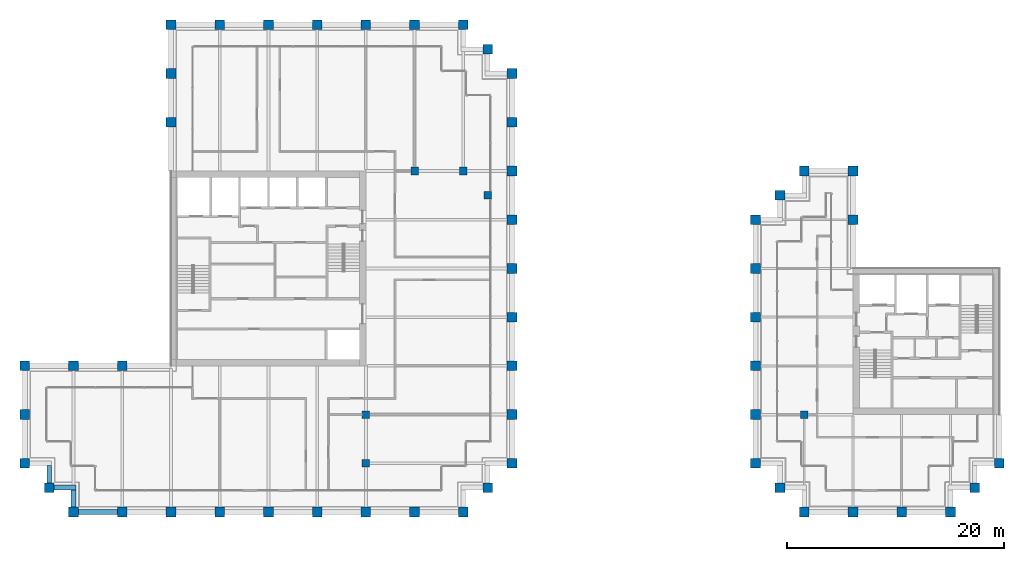
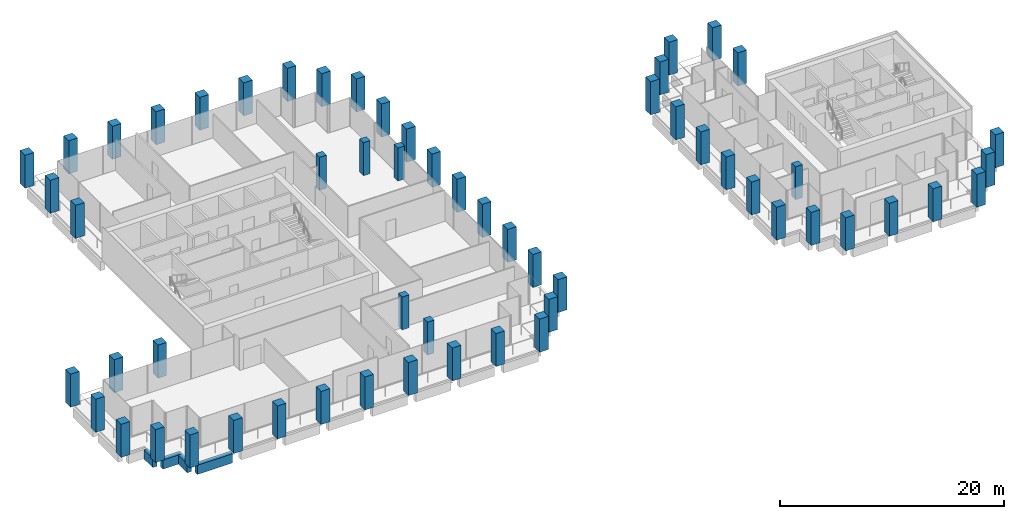
# One storey, part 1 of 40: 58 columns, 4 beams.
"""IFC4 building model written with IfcOpenShell, lengths in metres."""

from ifc_helpers import new_model, si_unit, direction, frame, origin, origin_2d, place, context, subcontext, project, spatial, rectangle, extrude, material, material_profile, profile_set, type_object, element, save


model = new_model("IFC4")

# Units and contexts
model_context = context("Model", 3, precision=1e-05, world=origin(), true_north=direction((0.0, 1.0)))
body_context = subcontext(model_context, "Body", "Model", "MODEL_VIEW")
ifc_project = project(units=[si_unit("LENGTHUNIT", "METRE"), si_unit("AREAUNIT", "SQUARE_METRE"), si_unit("VOLUMEUNIT", "CUBIC_METRE"), si_unit("PLANEANGLEUNIT", "RADIAN"), si_unit("MASSUNIT", "GRAM", prefix="KILO")], contexts=[model_context])

# Site, building, storey
site_placement = place(None, origin())
site = spatial("IfcSite", under=ifc_project, at=site_placement, CompositionType="ELEMENT")
building_placement = place(site_placement, origin())
building = spatial("IfcBuilding", under=site, at=building_placement, Name="Altepetl Exchange Towers", CompositionType="ELEMENT")
storey_placement = place(building_placement, frame((0.0, 0.0, 187.0)))
storey = spatial("IfcBuildingStorey", under=building, at=storey_placement, Name="L47", CompositionType="ELEMENT", Elevation=187.0)

# Columns
ifc_material_1 = material(Name="Concrete C70/85", Category="concrete")
ifc_material_profile_1 = material_profile(ifc_material_1, rectangle(XDim=0.699951171875, YDim=0.699951171875, at=origin_2d()), Name="700 x 700")
ifc_profile_set_1 = profile_set([ifc_material_profile_1], Name="Concrete C70/85")
column_type_1 = type_object("IfcColumnType", Name="Interior column 700", PredefinedType="COLUMN", material=ifc_profile_set_1)
for number, where, name in (
    (1, (58.5, 31.5, 0.0), "col:A:L47:035"),
    (2, (58.5, 36.0, 0.0), "col:A:L47:036"),
    (3, (63.0, 58.5, 0.0), "col:A:L47:037"),
    (4, (67.5, 58.5, 0.0), "col:A:L47:038"),
    (5, (69.75, 56.25, 0.0), "col:A:L47:039"),
    (6, (99.0, 36.0, 0.0), "col:B:L47:017"),
):
    element("IfcColumn", number, at=place(storey_placement, frame(where)), inside=storey, type_object=column_type_1, Name=name, PredefinedType="COLUMN", context=body_context, shape_type="SweptSolid", body=[
        extrude(rectangle(XDim=0.699951171875, YDim=0.699951171875, at=origin_2d()), origin(), (0.0, 0.0, 1.0), 3.60009765625),
    ])
ifc_material_2 = material(Name="Concrete C70/85 precast with cantera amarilla facing", Category="concrete")
ifc_material_profile_2 = material_profile(ifc_material_2, rectangle(XDim=0.89990234375, YDim=0.89990234375, at=origin_2d()), Name="900 x 900")
ifc_profile_set_2 = profile_set([ifc_material_profile_2], Name="Concrete C70/85 precast with cantera amarilla facing")
column_type_2 = type_object("IfcColumnType", Name="Perimeter column 900 cantera amarilla", PredefinedType="COLUMN", material=ifc_profile_set_2)
for number, where, name in (
    (7, (58.5, 27.0, 0.0), "col:A:L47:006"),
    (8, (63.0, 27.0, 0.0), "col:A:L47:007"),
    (9, (67.5, 27.0, 0.0), "col:A:L47:008"),
    (10, (69.75, 29.25, 0.0), "col:A:L47:009"),
    (11, (72.0, 31.5, 0.0), "col:A:L47:010"),
    (12, (72.0, 36.0, 0.0), "col:A:L47:011"),
    (13, (72.0, 40.5, 0.0), "col:A:L47:012"),
    (14, (72.0, 45.0, 0.0), "col:A:L47:013"),
    (15, (72.0, 49.5, 0.0), "col:A:L47:014"),
    (16, (72.0, 54.0, 0.0), "col:A:L47:015"),
):
    element("IfcColumn", number, at=place(storey_placement, frame(where)), inside=storey, type_object=column_type_2, Name=name, PredefinedType="COLUMN", context=body_context, shape_type="SweptSolid", body=[
        extrude(rectangle(XDim=0.89990234375, YDim=0.89990234375, at=origin_2d()), origin(), (0.0, 0.0, 1.0), 3.60009765625),
    ])
ifc_material_3 = material(Name="Concrete C70/85 precast with cantera blanca facing", Category="concrete")
ifc_material_profile_3 = material_profile(ifc_material_3, rectangle(XDim=0.89990234375, YDim=0.89990234375, at=origin_2d()), Name="900 x 900")
ifc_profile_set_3 = profile_set([ifc_material_profile_3], Name="Concrete C70/85 precast with cantera blanca facing")
column_type_3 = type_object("IfcColumnType", Name="Perimeter column 900 cantera blanca", PredefinedType="COLUMN", material=ifc_profile_set_3)
for number, where, name in (
    (17, (31.5, 27.0, 0.0), "col:A:L47:000"),
    (18, (36.0, 27.0, 0.0), "col:A:L47:001"),
    (19, (40.5, 27.0, 0.0), "col:A:L47:002"),
    (20, (45.0, 27.0, 0.0), "col:A:L47:003"),
    (21, (49.5, 27.0, 0.0), "col:A:L47:004"),
    (22, (54.0, 27.0, 0.0), "col:A:L47:005"),
    (23, (27.0, 36.0, 0.0), "col:A:L47:032"),
    (24, (27.0, 31.5, 0.0), "col:A:L47:033"),
    (25, (29.25, 29.25, 0.0), "col:A:L47:034"),
    (26, (117.0, 31.5, 0.0), "col:B:L47:005"),
):
    element("IfcColumn", number, at=place(storey_placement, frame(where)), inside=storey, type_object=column_type_3, Name=name, PredefinedType="COLUMN", context=body_context, shape_type="SweptSolid", body=[
        extrude(rectangle(XDim=0.89990234375, YDim=0.89990234375, at=origin_2d()), origin(), (0.0, 0.0, 1.0), 3.60009765625),
    ])
ifc_material_4 = material(Name="Concrete C70/85 precast with cantera rosa facing", Category="concrete")
ifc_material_profile_4 = material_profile(ifc_material_4, rectangle(XDim=0.89990234375, YDim=0.89990234375, at=origin_2d()), Name="900 x 900")
ifc_profile_set_4 = profile_set([ifc_material_profile_4], Name="Concrete C70/85 precast with cantera rosa facing")
column_type_4 = type_object("IfcColumnType", Name="Perimeter column 900 cantera rosa", PredefinedType="COLUMN", material=ifc_profile_set_4)
for number, where, name in (
    (27, (72.0, 58.5, 0.0), "col:A:L47:016"),
    (28, (72.0, 63.0, 0.0), "col:A:L47:017"),
    (29, (72.0, 67.5, 0.0), "col:A:L47:018"),
    (30, (69.75, 69.75, 0.0), "col:A:L47:019"),
    (31, (67.5, 72.0, 0.0), "col:A:L47:020"),
    (32, (63.0, 72.0, 0.0), "col:A:L47:021"),
    (33, (58.5, 72.0, 0.0), "col:A:L47:022"),
    (34, (54.0, 72.0, 0.0), "col:A:L47:023"),
    (35, (49.5, 72.0, 0.0), "col:A:L47:024"),
    (36, (45.0, 72.0, 0.0), "col:A:L47:025"),
    (37, (103.5, 54.0, 0.0), "col:B:L47:006"),
    (38, (103.5, 58.5, 0.0), "col:B:L47:007"),
    (39, (99.0, 58.5, 0.0), "col:B:L47:008"),
    (40, (96.75, 56.25, 0.0), "col:B:L47:009"),
    (41, (94.5, 54.0, 0.0), "col:B:L47:010"),
    (42, (94.5, 49.5, 0.0), "col:B:L47:011"),
    (43, (94.5, 45.0, 0.0), "col:B:L47:012"),
    (44, (94.5, 40.5, 0.0), "col:B:L47:013"),
    (45, (94.5, 36.0, 0.0), "col:B:L47:014"),
):
    element("IfcColumn", number, at=place(storey_placement, frame(where)), inside=storey, type_object=column_type_4, Name=name, PredefinedType="COLUMN", context=body_context, shape_type="SweptSolid", body=[
        extrude(rectangle(XDim=0.89990234375, YDim=0.89990234375, at=origin_2d()), origin(), (0.0, 0.0, 1.0), 3.60009765625),
    ])
ifc_material_5 = material(Name="Concrete C70/85 precast with tezontle facing", Category="concrete")
ifc_material_profile_5 = material_profile(ifc_material_5, rectangle(XDim=0.89990234375, YDim=0.89990234375, at=origin_2d()), Name="900 x 900")
ifc_profile_set_5 = profile_set([ifc_material_profile_5], Name="Concrete C70/85 precast with tezontle facing")
column_type_5 = type_object("IfcColumnType", Name="Perimeter column 900 tezontle", PredefinedType="COLUMN", material=ifc_profile_set_5)
for number, where, name in (
    (46, (40.5, 72.0, 0.0), "col:A:L47:026"),
    (47, (40.5, 67.5, 0.0), "col:A:L47:027"),
    (48, (40.5, 63.0, 0.0), "col:A:L47:028"),
    (49, (36.0, 40.5, 0.0), "col:A:L47:029"),
    (50, (31.5, 40.5, 0.0), "col:A:L47:030"),
    (51, (27.0, 40.5, 0.0), "col:A:L47:031"),
    (52, (99.0, 27.0, 0.0), "col:B:L47:000"),
    (53, (103.5, 27.0, 0.0), "col:B:L47:001"),
    (54, (108.0, 27.0, 0.0), "col:B:L47:002"),
    (55, (112.5, 27.0, 0.0), "col:B:L47:003"),
    (56, (114.75, 29.25, 0.0), "col:B:L47:004"),
    (57, (94.5, 31.5, 0.0), "col:B:L47:015"),
    (58, (96.75, 29.25, 0.0), "col:B:L47:016"),
):
    element("IfcColumn", number, at=place(storey_placement, frame(where)), inside=storey, type_object=column_type_5, Name=name, PredefinedType="COLUMN", context=body_context, shape_type="SweptSolid", body=[
        extrude(rectangle(XDim=0.89990234375, YDim=0.89990234375, at=origin_2d()), origin(), (0.0, 0.0, 1.0), 3.60009765625),
    ])

# Beams
ifc_material_6 = material(Name="Concrete C50/60 precast with cantera blanca facing", Category="concrete")
ifc_material_profile_6 = material_profile(ifc_material_6, rectangle(XDim=0.449951171875, YDim=1.0, at=origin_2d()), Name="450 x 1000")
ifc_profile_set_6 = profile_set([ifc_material_profile_6], Name="Concrete C50/60 precast with cantera blanca facing")
beam_type = type_object("IfcBeamType", Name="Spandrel beam 450x1000 cantera blanca", PredefinedType="SPANDREL", material=ifc_profile_set_6)
beam_1_placement = place(storey_placement, frame((31.949951171875, 27.0, -0.64990234375), z_axis=(1.0, 0.0, 0.0), x_axis=(0.0, 1.0, 0.0)))
element("IfcBeam", 59, at=beam_1_placement, inside=storey, type_object=beam_type, Name="sp:A:L47:000", PredefinedType="SPANDREL", context=body_context, shape_type="SweptSolid", body=[
    extrude(rectangle(XDim=0.449951171875, YDim=1.0, at=origin_2d()), origin(), (0.0, 0.0, 1.0), 3.60009765625),
])
beam_2_placement = place(storey_placement, frame((29.25, 31.27490234375, -0.64990234375), z_axis=(0.0, -1.0, 0.0), x_axis=(1.0, 0.0, 0.0)))
element("IfcBeam", 60, at=beam_2_placement, inside=storey, type_object=beam_type, Name="sp:A:L47:039", PredefinedType="SPANDREL", context=body_context, shape_type="SweptSolid", body=[
    extrude(rectangle(XDim=0.449951171875, YDim=1.0, at=origin_2d()), origin(), (0.0, 0.0, 1.0), 1.574951171875),
])
beam_3_placement = place(storey_placement, frame((29.699951171875, 29.25, -0.64990234375), z_axis=(1.0, 0.0, 0.0), x_axis=(0.0, 1.0, 0.0)))
element("IfcBeam", 61, at=beam_3_placement, inside=storey, type_object=beam_type, Name="sp:A:L47:040", PredefinedType="SPANDREL", context=body_context, shape_type="SweptSolid", body=[
    extrude(rectangle(XDim=0.449951171875, YDim=1.0, at=origin_2d()), origin(), (0.0, 0.0, 1.0), 2.025146484375),
])
beam_4_placement = place(storey_placement, frame((31.5, 29.02490234375, -0.64990234375), z_axis=(0.0, -1.0, 0.0), x_axis=(1.0, 0.0, 0.0)))
element("IfcBeam", 62, at=beam_4_placement, inside=storey, type_object=beam_type, Name="sp:A:L47:041", PredefinedType="SPANDREL", context=body_context, shape_type="SweptSolid", body=[
    extrude(rectangle(XDim=0.449951171875, YDim=1.0, at=origin_2d()), origin(), (0.0, 0.0, 1.0), 1.574951171875),
])

save(model, "model.ifc")
